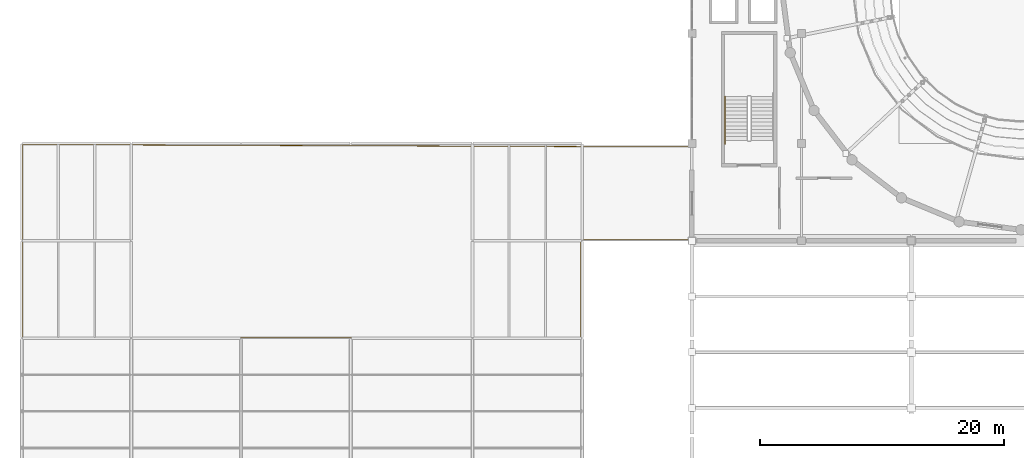
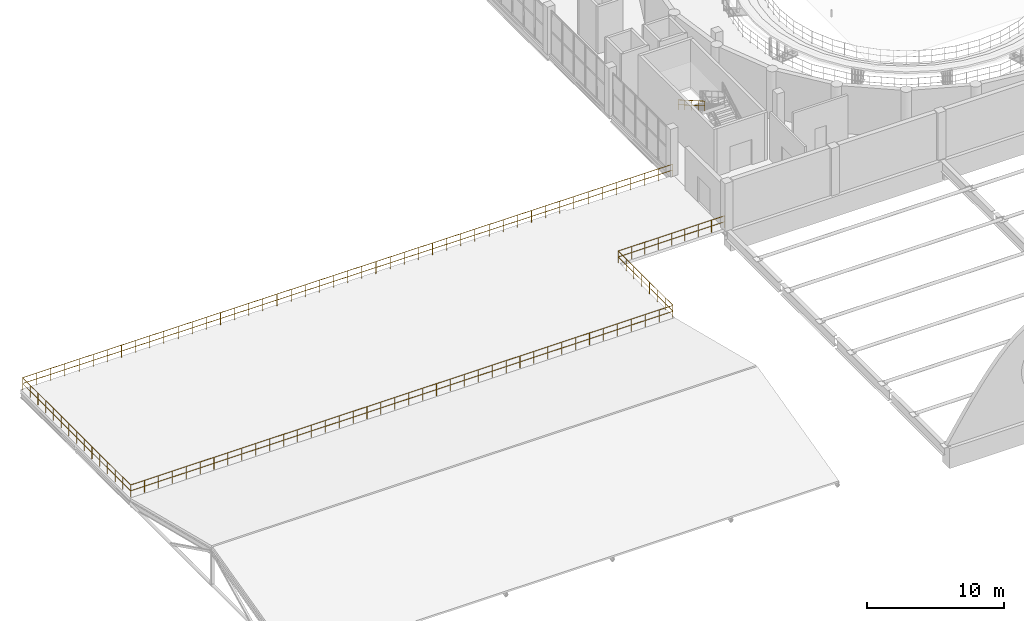
# One storey, part 48 of 54: 2 railings.
"""IFC4 building model written with IfcOpenShell, lengths in metres."""

from ifc_helpers import new_model, si_unit, direction, frame, origin, origin_2d, place, context, subcontext, project, spatial, circle, extrude, material, type_object, element, save


model = new_model("IFC4")

# Units and contexts
model_context = context("Model", 3, precision=1e-05, world=origin(), true_north=direction((0.0, 1.0)))
body_context = subcontext(model_context, "Body", "Model", "MODEL_VIEW")
ifc_project = project(units=[si_unit("LENGTHUNIT", "METRE"), si_unit("AREAUNIT", "SQUARE_METRE"), si_unit("VOLUMEUNIT", "CUBIC_METRE"), si_unit("PLANEANGLEUNIT", "RADIAN"), si_unit("MASSUNIT", "GRAM", prefix="KILO")], contexts=[model_context])

# Site, building, storey
site_placement = place(None, origin())
site = spatial("IfcSite", under=ifc_project, at=site_placement, CompositionType="ELEMENT")
building_placement = place(site_placement, origin())
building = spatial("IfcBuilding", under=site, at=building_placement, Name="Marnock Terrace Opera House", CompositionType="ELEMENT")
storey_placement = place(building_placement, frame((0.0, 0.0, 19.199951171875)))
storey = spatial("IfcBuildingStorey", under=building, at=storey_placement, Name="L04", CompositionType="ELEMENT", Elevation=19.199951171875)

# Railings
ifc_material_1 = material(Name="Architectural cast bronze")
railing_type_1 = type_object("IfcRailingType", Name="RL-BALUST-1100", PredefinedType="BALUSTRADE", material=ifc_material_1)
railing_1_placement = place(storey_placement, frame((54.89990234375, 47.699951171875, 0.0)))
element("IfcRailing", 1, at=railing_1_placement, inside=storey, type_object=railing_type_1, Name="L04 roof-garden balustrade BAL-L04-V3-PERIM", PredefinedType="BALUSTRADE", context=body_context, shape_type="SweptSolid", body=[
    extrude(circle(Radius=0.02392578125, at=origin_2d()), frame((0.0, 0.0, 1.076171875), z_axis=(-0.999993343353, 0.003648732728, 0.0), x_axis=(-0.003648732728, -0.999993343353, 0.0)), (0.0, 0.0, 1.0), 54.800048828125),
    extrude(circle(Radius=0.02392578125, at=origin_2d()), frame((0.0, 0.0, 0.550048828125), z_axis=(-0.999993343353, 0.003648732728, 0.0), x_axis=(-0.003648732728, -0.999993343353, 0.0)), (0.0, 0.0, 1.0), 54.800048828125),
    extrude(circle(Radius=0.02392578125, at=origin_2d()), frame((-54.7998046875, 0.199951171875, 1.076171875), z_axis=(0.0, -1.0, 0.0), x_axis=(1.0, 0.0, 0.0)), (0.0, 0.0, 1.0), 15.7998046875),
    extrude(circle(Radius=0.02392578125, at=origin_2d()), frame((-54.7998046875, 0.199951171875, 0.550048828125), z_axis=(0.0, -1.0, 0.0), x_axis=(1.0, 0.0, 0.0)), (0.0, 0.0, 1.0), 15.7998046875),
    extrude(circle(Radius=0.02392578125, at=origin_2d()), frame((-54.7998046875, -15.599853515625, 1.076171875), z_axis=(1.0, 0.0, 0.0), x_axis=(0.0, 1.0, 0.0)), (0.0, 0.0, 1.0), 45.7998046875),
    extrude(circle(Radius=0.02392578125, at=origin_2d()), frame((-54.7998046875, -15.599853515625, 0.550048828125), z_axis=(1.0, 0.0, 0.0), x_axis=(0.0, 1.0, 0.0)), (0.0, 0.0, 1.0), 45.7998046875),
    extrude(circle(Radius=0.02392578125, at=origin_2d()), frame((-9.0, -15.599853515625, 1.076171875), z_axis=(0.0, 1.0, 0.0), x_axis=(-1.0, 0.0, 0.0)), (0.0, 0.0, 1.0), 8.0),
    extrude(circle(Radius=0.02392578125, at=origin_2d()), frame((-9.0, -15.599853515625, 0.550048828125), z_axis=(0.0, 1.0, 0.0), x_axis=(-1.0, 0.0, 0.0)), (0.0, 0.0, 1.0), 8.0),
    extrude(circle(Radius=0.02392578125, at=origin_2d()), frame((-9.0, -7.599853515625, 1.076171875), z_axis=(1.0, 0.0, 0.0), x_axis=(0.0, 1.0, 0.0)), (0.0, 0.0, 1.0), 9.0),
    extrude(circle(Radius=0.02392578125, at=origin_2d()), frame((-9.0, -7.599853515625, 0.550048828125), z_axis=(1.0, 0.0, 0.0), x_axis=(0.0, 1.0, 0.0)), (0.0, 0.0, 1.0), 9.0),
    extrude(circle(Radius=0.02099609375, at=origin_2d()), origin(), (0.0, 0.0, 1.0), 1.052001953125),
    extrude(circle(Radius=0.02099609375, at=origin_2d()), frame((-1.19140625, 0.00439453125, 0.0)), (0.0, 0.0, 1.0), 1.052001953125),
    extrude(circle(Radius=0.02099609375, at=origin_2d()), frame((-2.382568359375, 0.0087890625, 0.0)), (0.0, 0.0, 1.0), 1.052001953125),
    extrude(circle(Radius=0.02099609375, at=origin_2d()), frame((-3.573974609375, 0.012939453125, 0.0)), (0.0, 0.0, 1.0), 1.052001953125),
    extrude(circle(Radius=0.02099609375, at=origin_2d()), frame((-4.76513671875, 0.017333984375, 0.0)), (0.0, 0.0, 1.0), 1.052001953125),
    extrude(circle(Radius=0.02099609375, at=origin_2d()), frame((-5.95654296875, 0.021728515625, 0.0)), (0.0, 0.0, 1.0), 1.052001953125),
    extrude(circle(Radius=0.02099609375, at=origin_2d()), frame((-7.147705078125, 0.026123046875, 0.0)), (0.0, 0.0, 1.0), 1.052001953125),
    extrude(circle(Radius=0.02099609375, at=origin_2d()), frame((-8.339111328125, 0.030517578125, 0.0)), (0.0, 0.0, 1.0), 1.052001953125),
    extrude(circle(Radius=0.02099609375, at=origin_2d()), frame((-9.530517578125, 0.03466796875, 0.0)), (0.0, 0.0, 1.0), 1.052001953125),
    extrude(circle(Radius=0.02099609375, at=origin_2d()), frame((-10.7216796875, 0.0390625, 0.0)), (0.0, 0.0, 1.0), 1.052001953125),
    extrude(circle(Radius=0.02099609375, at=origin_2d()), frame((-11.9130859375, 0.04345703125, 0.0)), (0.0, 0.0, 1.0), 1.052001953125),
    extrude(circle(Radius=0.02099609375, at=origin_2d()), frame((-13.104248046875, 0.0478515625, 0.0)), (0.0, 0.0, 1.0), 1.052001953125),
    extrude(circle(Radius=0.02099609375, at=origin_2d()), frame((-14.295654296875, 0.05224609375, 0.0)), (0.0, 0.0, 1.0), 1.052001953125),
    extrude(circle(Radius=0.02099609375, at=origin_2d()), frame((-15.48681640625, 0.056396484375, 0.0)), (0.0, 0.0, 1.0), 1.052001953125),
    extrude(circle(Radius=0.02099609375, at=origin_2d()), frame((-16.67822265625, 0.060791015625, 0.0)), (0.0, 0.0, 1.0), 1.052001953125),
    extrude(circle(Radius=0.02099609375, at=origin_2d()), frame((-17.869384765625, 0.065185546875, 0.0)), (0.0, 0.0, 1.0), 1.052001953125),
    extrude(circle(Radius=0.02099609375, at=origin_2d()), frame((-19.060791015625, 0.069580078125, 0.0)), (0.0, 0.0, 1.0), 1.052001953125),
    extrude(circle(Radius=0.02099609375, at=origin_2d()), frame((-20.252197265625, 0.073974609375, 0.0)), (0.0, 0.0, 1.0), 1.052001953125),
    extrude(circle(Radius=0.02099609375, at=origin_2d()), frame((-21.443359375, 0.078125, 0.0)), (0.0, 0.0, 1.0), 1.052001953125),
    extrude(circle(Radius=0.02099609375, at=origin_2d()), frame((-22.634765625, 0.08251953125, 0.0)), (0.0, 0.0, 1.0), 1.052001953125),
    extrude(circle(Radius=0.02099609375, at=origin_2d()), frame((-23.825927734375, 0.0869140625, 0.0)), (0.0, 0.0, 1.0), 1.052001953125),
    extrude(circle(Radius=0.02099609375, at=origin_2d()), frame((-25.017333984375, 0.09130859375, 0.0)), (0.0, 0.0, 1.0), 1.052001953125),
    extrude(circle(Radius=0.02099609375, at=origin_2d()), frame((-26.20849609375, 0.095703125, 0.0)), (0.0, 0.0, 1.0), 1.052001953125),
    extrude(circle(Radius=0.02099609375, at=origin_2d()), frame((-27.39990234375, 0.10009765625, 0.0)), (0.0, 0.0, 1.0), 1.052001953125),
    extrude(circle(Radius=0.02099609375, at=origin_2d()), frame((-28.59130859375, 0.104248046875, 0.0)), (0.0, 0.0, 1.0), 1.052001953125),
    extrude(circle(Radius=0.02099609375, at=origin_2d()), frame((-29.782470703125, 0.108642578125, 0.0)), (0.0, 0.0, 1.0), 1.052001953125),
    extrude(circle(Radius=0.02099609375, at=origin_2d()), frame((-30.973876953125, 0.113037109375, 0.0)), (0.0, 0.0, 1.0), 1.052001953125),
    extrude(circle(Radius=0.02099609375, at=origin_2d()), frame((-32.1650390625, 0.117431640625, 0.0)), (0.0, 0.0, 1.0), 1.052001953125),
    extrude(circle(Radius=0.02099609375, at=origin_2d()), frame((-33.3564453125, 0.121826171875, 0.0)), (0.0, 0.0, 1.0), 1.052001953125),
    extrude(circle(Radius=0.02099609375, at=origin_2d()), frame((-34.547607421875, 0.1259765625, 0.0)), (0.0, 0.0, 1.0), 1.052001953125),
    extrude(circle(Radius=0.02099609375, at=origin_2d()), frame((-35.739013671875, 0.13037109375, 0.0)), (0.0, 0.0, 1.0), 1.052001953125),
    extrude(circle(Radius=0.02099609375, at=origin_2d()), frame((-36.930419921875, 0.134765625, 0.0)), (0.0, 0.0, 1.0), 1.052001953125),
    extrude(circle(Radius=0.02099609375, at=origin_2d()), frame((-38.12158203125, 0.13916015625, 0.0)), (0.0, 0.0, 1.0), 1.052001953125),
    extrude(circle(Radius=0.02099609375, at=origin_2d()), frame((-39.31298828125, 0.1435546875, 0.0)), (0.0, 0.0, 1.0), 1.052001953125),
    extrude(circle(Radius=0.02099609375, at=origin_2d()), frame((-40.504150390625, 0.147705078125, 0.0)), (0.0, 0.0, 1.0), 1.052001953125),
    extrude(circle(Radius=0.02099609375, at=origin_2d()), frame((-41.695556640625, 0.152099609375, 0.0)), (0.0, 0.0, 1.0), 1.052001953125),
    extrude(circle(Radius=0.02099609375, at=origin_2d()), frame((-42.88671875, 0.156494140625, 0.0)), (0.0, 0.0, 1.0), 1.052001953125),
    extrude(circle(Radius=0.02099609375, at=origin_2d()), frame((-44.078125, 0.160888671875, 0.0)), (0.0, 0.0, 1.0), 1.052001953125),
    extrude(circle(Radius=0.02099609375, at=origin_2d()), frame((-45.269287109375, 0.165283203125, 0.0)), (0.0, 0.0, 1.0), 1.052001953125),
    extrude(circle(Radius=0.02099609375, at=origin_2d()), frame((-46.460693359375, 0.16943359375, 0.0)), (0.0, 0.0, 1.0), 1.052001953125),
    extrude(circle(Radius=0.02099609375, at=origin_2d()), frame((-47.652099609375, 0.173828125, 0.0)), (0.0, 0.0, 1.0), 1.052001953125),
    extrude(circle(Radius=0.02099609375, at=origin_2d()), frame((-48.84326171875, 0.17822265625, 0.0)), (0.0, 0.0, 1.0), 1.052001953125),
    extrude(circle(Radius=0.02099609375, at=origin_2d()), frame((-50.03466796875, 0.1826171875, 0.0)), (0.0, 0.0, 1.0), 1.052001953125),
    extrude(circle(Radius=0.02099609375, at=origin_2d()), frame((-51.225830078125, 0.18701171875, 0.0)), (0.0, 0.0, 1.0), 1.052001953125),
    extrude(circle(Radius=0.02099609375, at=origin_2d()), frame((-52.417236328125, 0.191162109375, 0.0)), (0.0, 0.0, 1.0), 1.052001953125),
    extrude(circle(Radius=0.02099609375, at=origin_2d()), frame((-53.6083984375, 0.195556640625, 0.0)), (0.0, 0.0, 1.0), 1.052001953125),
    extrude(circle(Radius=0.02099609375, at=origin_2d()), frame((-54.7998046875, 0.199951171875, 0.0)), (0.0, 0.0, 1.0), 1.052001953125),
    extrude(circle(Radius=0.02099609375, at=origin_2d()), frame((-54.7998046875, -0.9287109375, 0.0)), (0.0, 0.0, 1.0), 1.052001953125),
    extrude(circle(Radius=0.02099609375, at=origin_2d()), frame((-54.7998046875, -2.05712890625, 0.0)), (0.0, 0.0, 1.0), 1.052001953125),
    extrude(circle(Radius=0.02099609375, at=origin_2d()), frame((-54.7998046875, -3.185791015625, 0.0)), (0.0, 0.0, 1.0), 1.052001953125),
    extrude(circle(Radius=0.02099609375, at=origin_2d()), frame((-54.7998046875, -4.314208984375, 0.0)), (0.0, 0.0, 1.0), 1.052001953125),
    extrude(circle(Radius=0.02099609375, at=origin_2d()), frame((-54.7998046875, -5.44287109375, 0.0)), (0.0, 0.0, 1.0), 1.052001953125),
    extrude(circle(Radius=0.02099609375, at=origin_2d()), frame((-54.7998046875, -6.5712890625, 0.0)), (0.0, 0.0, 1.0), 1.052001953125),
    extrude(circle(Radius=0.02099609375, at=origin_2d()), frame((-54.7998046875, -7.699951171875, 0.0)), (0.0, 0.0, 1.0), 1.052001953125),
    extrude(circle(Radius=0.02099609375, at=origin_2d()), frame((-54.7998046875, -8.82861328125, 0.0)), (0.0, 0.0, 1.0), 1.052001953125),
    extrude(circle(Radius=0.02099609375, at=origin_2d()), frame((-54.7998046875, -9.95703125, 0.0)), (0.0, 0.0, 1.0), 1.052001953125),
    extrude(circle(Radius=0.02099609375, at=origin_2d()), frame((-54.7998046875, -11.085693359375, 0.0)), (0.0, 0.0, 1.0), 1.052001953125),
    extrude(circle(Radius=0.02099609375, at=origin_2d()), frame((-54.7998046875, -12.214111328125, 0.0)), (0.0, 0.0, 1.0), 1.052001953125),
    extrude(circle(Radius=0.02099609375, at=origin_2d()), frame((-54.7998046875, -13.3427734375, 0.0)), (0.0, 0.0, 1.0), 1.052001953125),
    extrude(circle(Radius=0.02099609375, at=origin_2d()), frame((-54.7998046875, -14.47119140625, 0.0)), (0.0, 0.0, 1.0), 1.052001953125),
    extrude(circle(Radius=0.02099609375, at=origin_2d()), frame((-54.7998046875, -15.599853515625, 0.0)), (0.0, 0.0, 1.0), 1.052001953125),
    extrude(circle(Radius=0.02099609375, at=origin_2d()), frame((-53.62548828125, -15.599853515625, 0.0)), (0.0, 0.0, 1.0), 1.052001953125),
    extrude(circle(Radius=0.02099609375, at=origin_2d()), frame((-52.451171875, -15.599853515625, 0.0)), (0.0, 0.0, 1.0), 1.052001953125),
    extrude(circle(Radius=0.02099609375, at=origin_2d()), frame((-51.27685546875, -15.599853515625, 0.0)), (0.0, 0.0, 1.0), 1.052001953125),
    extrude(circle(Radius=0.02099609375, at=origin_2d()), frame((-50.102294921875, -15.599853515625, 0.0)), (0.0, 0.0, 1.0), 1.052001953125),
    extrude(circle(Radius=0.02099609375, at=origin_2d()), frame((-48.927978515625, -15.599853515625, 0.0)), (0.0, 0.0, 1.0), 1.052001953125),
    extrude(circle(Radius=0.02099609375, at=origin_2d()), frame((-47.753662109375, -15.599853515625, 0.0)), (0.0, 0.0, 1.0), 1.052001953125),
    extrude(circle(Radius=0.02099609375, at=origin_2d()), frame((-46.579345703125, -15.599853515625, 0.0)), (0.0, 0.0, 1.0), 1.052001953125),
    extrude(circle(Radius=0.02099609375, at=origin_2d()), frame((-45.405029296875, -15.599853515625, 0.0)), (0.0, 0.0, 1.0), 1.052001953125),
    extrude(circle(Radius=0.02099609375, at=origin_2d()), frame((-44.230712890625, -15.599853515625, 0.0)), (0.0, 0.0, 1.0), 1.052001953125),
    extrude(circle(Radius=0.02099609375, at=origin_2d()), frame((-43.05615234375, -15.599853515625, 0.0)), (0.0, 0.0, 1.0), 1.052001953125),
    extrude(circle(Radius=0.02099609375, at=origin_2d()), frame((-41.8818359375, -15.599853515625, 0.0)), (0.0, 0.0, 1.0), 1.052001953125),
    extrude(circle(Radius=0.02099609375, at=origin_2d()), frame((-40.70751953125, -15.599853515625, 0.0)), (0.0, 0.0, 1.0), 1.052001953125),
    extrude(circle(Radius=0.02099609375, at=origin_2d()), frame((-39.533203125, -15.599853515625, 0.0)), (0.0, 0.0, 1.0), 1.052001953125),
    extrude(circle(Radius=0.02099609375, at=origin_2d()), frame((-38.35888671875, -15.599853515625, 0.0)), (0.0, 0.0, 1.0), 1.052001953125),
    extrude(circle(Radius=0.02099609375, at=origin_2d()), frame((-37.1845703125, -15.599853515625, 0.0)), (0.0, 0.0, 1.0), 1.052001953125),
    extrude(circle(Radius=0.02099609375, at=origin_2d()), frame((-36.01025390625, -15.599853515625, 0.0)), (0.0, 0.0, 1.0), 1.052001953125),
    extrude(circle(Radius=0.02099609375, at=origin_2d()), frame((-34.835693359375, -15.599853515625, 0.0)), (0.0, 0.0, 1.0), 1.052001953125),
    extrude(circle(Radius=0.02099609375, at=origin_2d()), frame((-33.661376953125, -15.599853515625, 0.0)), (0.0, 0.0, 1.0), 1.052001953125),
    extrude(circle(Radius=0.02099609375, at=origin_2d()), frame((-32.487060546875, -15.599853515625, 0.0)), (0.0, 0.0, 1.0), 1.052001953125),
    extrude(circle(Radius=0.02099609375, at=origin_2d()), frame((-31.312744140625, -15.599853515625, 0.0)), (0.0, 0.0, 1.0), 1.052001953125),
    extrude(circle(Radius=0.02099609375, at=origin_2d()), frame((-30.138427734375, -15.599853515625, 0.0)), (0.0, 0.0, 1.0), 1.052001953125),
    extrude(circle(Radius=0.02099609375, at=origin_2d()), frame((-28.964111328125, -15.599853515625, 0.0)), (0.0, 0.0, 1.0), 1.052001953125),
    extrude(circle(Radius=0.02099609375, at=origin_2d()), frame((-27.78955078125, -15.599853515625, 0.0)), (0.0, 0.0, 1.0), 1.052001953125),
    extrude(circle(Radius=0.02099609375, at=origin_2d()), frame((-26.615234375, -15.599853515625, 0.0)), (0.0, 0.0, 1.0), 1.052001953125),
    extrude(circle(Radius=0.02099609375, at=origin_2d()), frame((-25.44091796875, -15.599853515625, 0.0)), (0.0, 0.0, 1.0), 1.052001953125),
    extrude(circle(Radius=0.02099609375, at=origin_2d()), frame((-24.2666015625, -15.599853515625, 0.0)), (0.0, 0.0, 1.0), 1.052001953125),
    extrude(circle(Radius=0.02099609375, at=origin_2d()), frame((-23.09228515625, -15.599853515625, 0.0)), (0.0, 0.0, 1.0), 1.052001953125),
    extrude(circle(Radius=0.02099609375, at=origin_2d()), frame((-21.91796875, -15.599853515625, 0.0)), (0.0, 0.0, 1.0), 1.052001953125),
    extrude(circle(Radius=0.02099609375, at=origin_2d()), frame((-20.74365234375, -15.599853515625, 0.0)), (0.0, 0.0, 1.0), 1.052001953125),
    extrude(circle(Radius=0.02099609375, at=origin_2d()), frame((-19.569091796875, -15.599853515625, 0.0)), (0.0, 0.0, 1.0), 1.052001953125),
    extrude(circle(Radius=0.02099609375, at=origin_2d()), frame((-18.394775390625, -15.599853515625, 0.0)), (0.0, 0.0, 1.0), 1.052001953125),
    extrude(circle(Radius=0.02099609375, at=origin_2d()), frame((-17.220458984375, -15.599853515625, 0.0)), (0.0, 0.0, 1.0), 1.052001953125),
    extrude(circle(Radius=0.02099609375, at=origin_2d()), frame((-16.046142578125, -15.599853515625, 0.0)), (0.0, 0.0, 1.0), 1.052001953125),
    extrude(circle(Radius=0.02099609375, at=origin_2d()), frame((-14.871826171875, -15.599853515625, 0.0)), (0.0, 0.0, 1.0), 1.052001953125),
    extrude(circle(Radius=0.02099609375, at=origin_2d()), frame((-13.697509765625, -15.599853515625, 0.0)), (0.0, 0.0, 1.0), 1.052001953125),
    extrude(circle(Radius=0.02099609375, at=origin_2d()), frame((-12.52294921875, -15.599853515625, 0.0)), (0.0, 0.0, 1.0), 1.052001953125),
    extrude(circle(Radius=0.02099609375, at=origin_2d()), frame((-11.3486328125, -15.599853515625, 0.0)), (0.0, 0.0, 1.0), 1.052001953125),
    extrude(circle(Radius=0.02099609375, at=origin_2d()), frame((-10.17431640625, -15.599853515625, 0.0)), (0.0, 0.0, 1.0), 1.052001953125),
    extrude(circle(Radius=0.02099609375, at=origin_2d()), frame((-9.0, -15.599853515625, 0.0)), (0.0, 0.0, 1.0), 1.052001953125),
    extrude(circle(Radius=0.02099609375, at=origin_2d()), frame((-9.0, -14.45703125, 0.0)), (0.0, 0.0, 1.0), 1.052001953125),
    extrude(circle(Radius=0.02099609375, at=origin_2d()), frame((-9.0, -13.314208984375, 0.0)), (0.0, 0.0, 1.0), 1.052001953125),
    extrude(circle(Radius=0.02099609375, at=origin_2d()), frame((-9.0, -12.17138671875, 0.0)), (0.0, 0.0, 1.0), 1.052001953125),
    extrude(circle(Radius=0.02099609375, at=origin_2d()), frame((-9.0, -11.0283203125, 0.0)), (0.0, 0.0, 1.0), 1.052001953125),
    extrude(circle(Radius=0.02099609375, at=origin_2d()), frame((-9.0, -9.885498046875, 0.0)), (0.0, 0.0, 1.0), 1.052001953125),
    extrude(circle(Radius=0.02099609375, at=origin_2d()), frame((-9.0, -8.74267578125, 0.0)), (0.0, 0.0, 1.0), 1.052001953125),
    extrude(circle(Radius=0.02099609375, at=origin_2d()), frame((-9.0, -7.599853515625, 0.0)), (0.0, 0.0, 1.0), 1.052001953125),
    extrude(circle(Radius=0.02099609375, at=origin_2d()), frame((-7.875, -7.599853515625, 0.0)), (0.0, 0.0, 1.0), 1.052001953125),
    extrude(circle(Radius=0.02099609375, at=origin_2d()), frame((-6.75, -7.599853515625, 0.0)), (0.0, 0.0, 1.0), 1.052001953125),
    extrude(circle(Radius=0.02099609375, at=origin_2d()), frame((-5.625, -7.599853515625, 0.0)), (0.0, 0.0, 1.0), 1.052001953125),
    extrude(circle(Radius=0.02099609375, at=origin_2d()), frame((-4.5, -7.599853515625, 0.0)), (0.0, 0.0, 1.0), 1.052001953125),
    extrude(circle(Radius=0.02099609375, at=origin_2d()), frame((-3.375, -7.599853515625, 0.0)), (0.0, 0.0, 1.0), 1.052001953125),
    extrude(circle(Radius=0.02099609375, at=origin_2d()), frame((-2.25, -7.599853515625, 0.0)), (0.0, 0.0, 1.0), 1.052001953125),
    extrude(circle(Radius=0.02099609375, at=origin_2d()), frame((-1.125, -7.599853515625, 0.0)), (0.0, 0.0, 1.0), 1.052001953125),
    extrude(circle(Radius=0.02099609375, at=origin_2d()), frame((0.0, -7.599853515625, 0.0)), (0.0, 0.0, 1.0), 1.052001953125),
])
ifc_material_2 = material(Name="Architectural bronze balustrade")
railing_type_2 = type_object("IfcRailingType", Name="RL-HAND-900", PredefinedType="HANDRAIL", material=ifc_material_2)
railing_2_placement = place(storey_placement, frame((57.72998046875, 51.840087890625, 2.43505859375)))
element("IfcRailing", 2, at=railing_2_placement, inside=storey, type_object=railing_type_2, Name="L04 ST-01 stair handrail 2", PredefinedType="HANDRAIL", context=body_context, shape_type="SweptSolid", body=[
    extrude(circle(Radius=0.02392578125, at=origin_2d()), frame((0.0, 0.0, 0.8759765625), z_axis=(0.0, -0.866193710181, 0.499708371395), x_axis=(1.0, 0.0, 0.0)), (0.0, 0.0, 1.0), 4.502685546875),
    extrude(circle(Radius=0.02392578125, at=origin_2d()), frame((0.0, 0.0, 0.449951171875), z_axis=(0.0, -0.866193710181, 0.499708371395), x_axis=(1.0, 0.0, 0.0)), (0.0, 0.0, 1.0), 4.502685546875),
    extrude(circle(Radius=0.02099609375, at=origin_2d()), origin(), (0.0, 0.0, 1.0), 0.851806640625),
    extrude(circle(Radius=0.02099609375, at=origin_2d()), frame((0.0, -0.97509765625, 0.5625)), (0.0, 0.0, 1.0), 0.851806640625),
    extrude(circle(Radius=0.02099609375, at=origin_2d()), frame((0.0, -1.9501953125, 1.125)), (0.0, 0.0, 1.0), 0.851806640625),
    extrude(circle(Radius=0.02099609375, at=origin_2d()), frame((0.0, -2.925048828125, 1.6875)), (0.0, 0.0, 1.0), 0.851806640625),
    extrude(circle(Radius=0.02099609375, at=origin_2d()), frame((0.0, -3.900146484375, 2.25)), (0.0, 0.0, 1.0), 0.851806640625),
])

save(model, "model.ifc")
